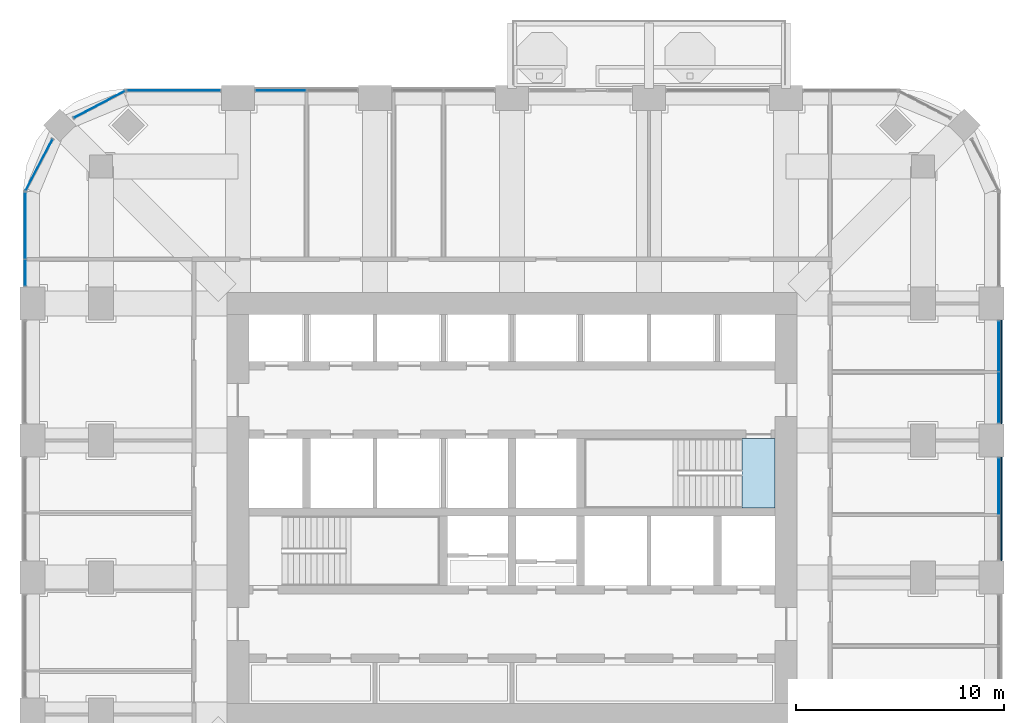
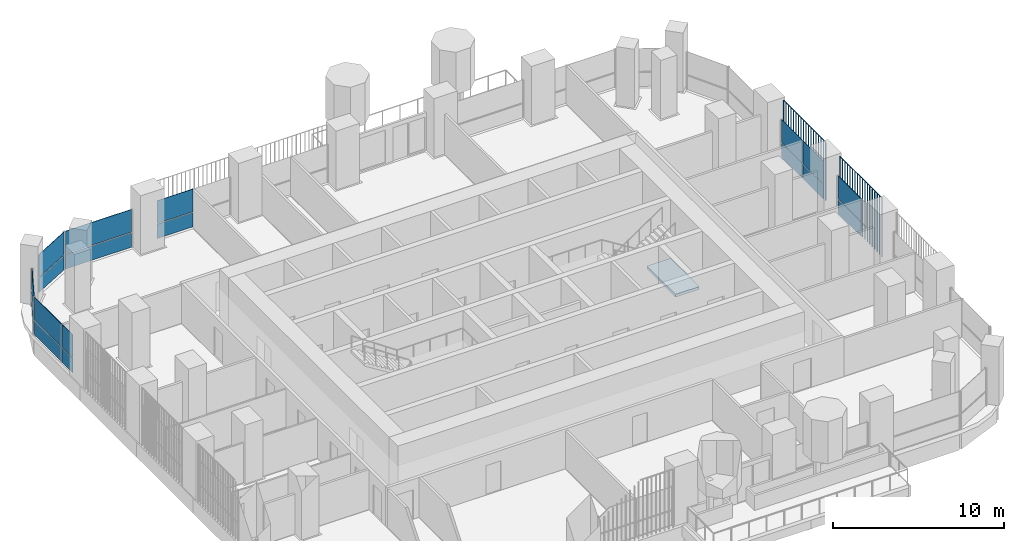
# One storey, part 11 of 20: 20 plates, 1 slab, 8 elements without a shape of their own.
"""IFC4 building model written with IfcOpenShell, lengths in metres."""

from ifc_helpers import new_model, si_unit, direction, frame, origin, origin_2d, place, context, subcontext, project, spatial, polyline, rectangle, outline, extrude, material, layer, layer_set, type_object, element, aggregate, save


model = new_model("IFC4")

# Units and contexts
model_context = context("Model", 3, precision=1e-05, world=origin(), true_north=direction((0.0, 1.0)))
body_context = subcontext(model_context, "Body", "Model", "MODEL_VIEW")
ifc_project = project(units=[si_unit("LENGTHUNIT", "METRE"), si_unit("AREAUNIT", "SQUARE_METRE"), si_unit("VOLUMEUNIT", "CUBIC_METRE"), si_unit("PLANEANGLEUNIT", "RADIAN"), si_unit("MASSUNIT", "GRAM", prefix="KILO")], contexts=[model_context])

# Site, building, storey
site_placement = place(None, origin())
site = spatial("IfcSite", under=ifc_project, at=site_placement, CompositionType="ELEMENT")
building_placement = place(site_placement, origin())
building = spatial("IfcBuilding", under=site, at=building_placement, Name="Cobogo Forest Laboratory Tower", CompositionType="ELEMENT")
storey_placement = place(building_placement, frame((0.0, 0.0, 180.89990234375)))
storey = spatial("IfcBuildingStorey", under=building, at=storey_placement, Name="L41", CompositionType="ELEMENT", Elevation=180.89990234375)

# Curtain wall, plates
ifc_material_1 = material(Name="Aluminium curtain wall", Category="aluminium")
curtain_wall_type = type_object("IfcCurtainWallType", Name="CW-2 unitised curtain wall, solar control glazing, laboratory floors zones C and D", PredefinedType="USERDEFINED", material=ifc_material_1)
curtain_wall_1_placement = place(storey_placement, origin())
curtain_wall_1 = element("IfcCurtainWall", 1, at=curtain_wall_1_placement, inside=storey, type_object=curtain_wall_type, Name="Curtain wall 11 L41", ObjectType="UNITISED CURTAIN WALL", PredefinedType="USERDEFINED")
ifc_material_2 = material(Name="Solar control insulated glass", Category="glass")
ifc_layer_1 = layer(ifc_material_2, 0.031982421875)
ifc_layer_set_1 = layer_set([ifc_layer_1], Name="GP-2 solar control glass unit 32")
plate_type_1 = type_object("IfcPlateType", Name="GP-2 solar control glass unit 32", PredefinedType="CURTAIN_PANEL", material=ifc_layer_set_1)
plate_1_placement = place(storey_placement, frame((49.85009765625, 24.18505859375, 0.0), z_axis=(0.0, 0.0, 1.0), x_axis=(0.0, 1.0, 0.0)))
plate_1 = element("IfcPlate", 2, at=plate_1_placement, type_object=plate_type_1, Name="CW-2 panel 2.1", PredefinedType="CURTAIN_PANEL", context=body_context, shape_type="SweptSolid", body=[
    extrude(rectangle(XDim=2.7099609375, YDim=0.031982421875, at=origin_2d()), origin(), (0.0, 0.0, 1.0), 1.02001953125),
])
plate_2_placement = place(storey_placement, frame((49.85009765625, 24.18505859375, 1.080078125), z_axis=(0.0, 0.0, 1.0), x_axis=(0.0, 1.0, 0.0)))
plate_2 = element("IfcPlate", 3, at=plate_2_placement, type_object=plate_type_1, Name="CW-2 panel 2.2", PredefinedType="CURTAIN_PANEL", context=body_context, shape_type="SweptSolid", body=[
    extrude(rectangle(XDim=2.7099609375, YDim=0.031982421875, at=origin_2d()), origin(), (0.0, 0.0, 1.0), 1.6201171875),
])
aggregate(curtain_wall_1, [plate_1, plate_2])

curtain_wall_2_placement = place(storey_placement, origin())
curtain_wall_2 = element("IfcCurtainWall", 4, at=curtain_wall_2_placement, inside=storey, type_object=curtain_wall_type, Name="Curtain wall 12 L41", ObjectType="UNITISED CURTAIN WALL", PredefinedType="USERDEFINED")
plate_3_placement = place(storey_placement, frame((49.85009765625, 28.465087890625, 0.0), z_axis=(0.0, 0.0, 1.0), x_axis=(0.0, 1.0, 0.0)))
plate_3 = element("IfcPlate", 5, at=plate_3_placement, type_object=plate_type_1, Name="CW-2 panel 1.1", PredefinedType="CURTAIN_PANEL", context=body_context, shape_type="SweptSolid", body=[
    extrude(rectangle(XDim=2.409912109375, YDim=0.031982421875, at=origin_2d()), origin(), (0.0, 0.0, 1.0), 1.02001953125),
])
plate_4_placement = place(storey_placement, frame((49.85009765625, 28.465087890625, 1.080078125), z_axis=(0.0, 0.0, 1.0), x_axis=(0.0, 1.0, 0.0)))
plate_4 = element("IfcPlate", 6, at=plate_4_placement, type_object=plate_type_1, Name="CW-2 panel 1.2", PredefinedType="CURTAIN_PANEL", context=body_context, shape_type="SweptSolid", body=[
    extrude(rectangle(XDim=2.409912109375, YDim=0.031982421875, at=origin_2d()), origin(), (0.0, 0.0, 1.0), 1.6201171875),
])
plate_5_placement = place(storey_placement, frame((49.85009765625, 30.93505859375, 0.0), z_axis=(0.0, 0.0, 1.0), x_axis=(0.0, 1.0, 0.0)))
plate_5 = element("IfcPlate", 7, at=plate_5_placement, type_object=plate_type_1, Name="CW-2 panel 2.1", PredefinedType="CURTAIN_PANEL", context=body_context, shape_type="SweptSolid", body=[
    extrude(rectangle(XDim=2.409912109375, YDim=0.031982421875, at=origin_2d()), origin(), (0.0, 0.0, 1.0), 1.02001953125),
])
plate_6_placement = place(storey_placement, frame((49.85009765625, 30.93505859375, 1.080078125), z_axis=(0.0, 0.0, 1.0), x_axis=(0.0, 1.0, 0.0)))
plate_6 = element("IfcPlate", 8, at=plate_6_placement, type_object=plate_type_1, Name="CW-2 panel 2.2", PredefinedType="CURTAIN_PANEL", context=body_context, shape_type="SweptSolid", body=[
    extrude(rectangle(XDim=2.409912109375, YDim=0.031982421875, at=origin_2d()), origin(), (0.0, 0.0, 1.0), 1.6201171875),
])
aggregate(curtain_wall_2, [plate_3, plate_4, plate_5, plate_6])

curtain_wall_3_placement = place(storey_placement, origin())
curtain_wall_3 = element("IfcCurtainWall", 9, at=curtain_wall_3_placement, inside=storey, type_object=curtain_wall_type, Name="Curtain wall 20 L41", ObjectType="UNITISED CURTAIN WALL", PredefinedType="USERDEFINED")
plate_7_placement = place(storey_placement, frame((15.264892578125, 43.25, 0.0), z_axis=(0.0, 0.0, 1.0), x_axis=(-1.0, 0.0, 0.0)))
plate_7 = element("IfcPlate", 10, at=plate_7_placement, type_object=plate_type_1, Name="CW-2 panel 2.1", PredefinedType="CURTAIN_PANEL", context=body_context, shape_type="SweptSolid", body=[
    extrude(rectangle(XDim=2.409912109375, YDim=0.031982421875, at=origin_2d()), origin(), (0.0, 0.0, 1.0), 1.02001953125),
])
plate_8_placement = place(storey_placement, frame((15.264892578125, 43.25, 1.080078125), z_axis=(0.0, 0.0, 1.0), x_axis=(-1.0, 0.0, 0.0)))
plate_8 = element("IfcPlate", 11, at=plate_8_placement, type_object=plate_type_1, Name="CW-2 panel 2.2", PredefinedType="CURTAIN_PANEL", context=body_context, shape_type="SweptSolid", body=[
    extrude(rectangle(XDim=2.409912109375, YDim=0.031982421875, at=origin_2d()), origin(), (0.0, 0.0, 1.0), 1.6201171875),
])
aggregate(curtain_wall_3, [plate_7, plate_8])

curtain_wall_4_placement = place(storey_placement, origin())
curtain_wall_4 = element("IfcCurtainWall", 12, at=curtain_wall_4_placement, inside=storey, type_object=curtain_wall_type, Name="Curtain wall 21 L41", ObjectType="UNITISED CURTAIN WALL", PredefinedType="USERDEFINED")
plate_9_placement = place(storey_placement, frame((10.10009765625, 43.25, 0.0), z_axis=(0.0, 0.0, 1.0), x_axis=(-1.0, 0.0, 0.0)))
plate_9 = element("IfcPlate", 13, at=plate_9_placement, type_object=plate_type_1, Name="CW-2 panel 1.1", PredefinedType="CURTAIN_PANEL", context=body_context, shape_type="SweptSolid", body=[
    extrude(rectangle(XDim=4.47998046875, YDim=0.031982421875, at=origin_2d()), origin(), (0.0, 0.0, 1.0), 1.02001953125),
])
plate_10_placement = place(storey_placement, frame((10.10009765625, 43.25, 1.080078125), z_axis=(0.0, 0.0, 1.0), x_axis=(-1.0, 0.0, 0.0)))
plate_10 = element("IfcPlate", 14, at=plate_10_placement, type_object=plate_type_1, Name="CW-2 panel 1.2", PredefinedType="CURTAIN_PANEL", context=body_context, shape_type="SweptSolid", body=[
    extrude(rectangle(XDim=4.47998046875, YDim=0.031982421875, at=origin_2d()), origin(), (0.0, 0.0, 1.0), 1.6201171875),
])
aggregate(curtain_wall_4, [plate_9, plate_10])

curtain_wall_5_placement = place(storey_placement, origin())
curtain_wall_5 = element("IfcCurtainWall", 15, at=curtain_wall_5_placement, inside=storey, type_object=curtain_wall_type, Name="Curtain wall 22 L41", ObjectType="UNITISED CURTAIN WALL", PredefinedType="USERDEFINED")
plate_11_placement = place(storey_placement, frame((6.5244140625, 42.581298828125, 0.0), z_axis=(0.0, 0.0, 1.0), x_axis=(-0.885686484356, -0.464283804832, 0.0)))
plate_11 = element("IfcPlate", 16, at=plate_11_placement, type_object=plate_type_1, Name="CW-2 panel 1.1", PredefinedType="CURTAIN_PANEL", context=body_context, shape_type="SweptSolid", body=[
    extrude(rectangle(XDim=2.76025390625, YDim=0.031982421875, at=origin_2d()), origin(), (0.0, 0.0, 1.0), 1.02001953125),
])
plate_12_placement = place(storey_placement, frame((6.5244140625, 42.581298828125, 1.080078125), z_axis=(0.0, 0.0, 1.0), x_axis=(-0.885686484356, -0.464283804832, 0.0)))
plate_12 = element("IfcPlate", 17, at=plate_12_placement, type_object=plate_type_1, Name="CW-2 panel 1.2", PredefinedType="CURTAIN_PANEL", context=body_context, shape_type="SweptSolid", body=[
    extrude(rectangle(XDim=2.76025390625, YDim=0.031982421875, at=origin_2d()), origin(), (0.0, 0.0, 1.0), 1.6201171875),
])
aggregate(curtain_wall_5, [plate_11, plate_12])

curtain_wall_6_placement = place(storey_placement, origin())
curtain_wall_6 = element("IfcCurtainWall", 18, at=curtain_wall_6_placement, inside=storey, type_object=curtain_wall_type, Name="Curtain wall 23 L41", ObjectType="UNITISED CURTAIN WALL", PredefinedType="USERDEFINED")
plate_13_placement = place(storey_placement, frame((3.61865234375, 39.675537109375, 0.0), z_axis=(0.0, 0.0, 1.0), x_axis=(-0.464283804832, -0.885686484356, 0.0)))
plate_13 = element("IfcPlate", 19, at=plate_13_placement, type_object=plate_type_1, Name="CW-2 panel 1.1", PredefinedType="CURTAIN_PANEL", context=body_context, shape_type="SweptSolid", body=[
    extrude(rectangle(XDim=2.76025390625, YDim=0.031982421875, at=origin_2d()), origin(), (0.0, 0.0, 1.0), 1.02001953125),
])
plate_14_placement = place(storey_placement, frame((3.61865234375, 39.675537109375, 1.080078125), z_axis=(0.0, 0.0, 1.0), x_axis=(-0.464283804832, -0.885686484356, 0.0)))
plate_14 = element("IfcPlate", 20, at=plate_14_placement, type_object=plate_type_1, Name="CW-2 panel 1.2", PredefinedType="CURTAIN_PANEL", context=body_context, shape_type="SweptSolid", body=[
    extrude(rectangle(XDim=2.76025390625, YDim=0.031982421875, at=origin_2d()), origin(), (0.0, 0.0, 1.0), 1.6201171875),
])
aggregate(curtain_wall_6, [plate_13, plate_14])

curtain_wall_7_placement = place(storey_placement, origin())
curtain_wall_7 = element("IfcCurtainWall", 21, at=curtain_wall_7_placement, inside=storey, type_object=curtain_wall_type, Name="Curtain wall 24 L41", ObjectType="UNITISED CURTAIN WALL", PredefinedType="USERDEFINED")
plate_15_placement = place(storey_placement, frame((2.949951171875, 36.74755859375, 0.0), z_axis=(0.0, 0.0, 1.0), x_axis=(0.0, -1.0, 0.0)))
plate_15 = element("IfcPlate", 22, at=plate_15_placement, type_object=plate_type_1, Name="CW-2 panel 1.1", PredefinedType="CURTAIN_PANEL", context=body_context, shape_type="SweptSolid", body=[
    extrude(rectangle(XDim=3.18505859375, YDim=0.031982421875, at=origin_2d()), origin(), (0.0, 0.0, 1.0), 1.02001953125),
])
plate_16_placement = place(storey_placement, frame((2.949951171875, 36.74755859375, 1.080078125), z_axis=(0.0, 0.0, 1.0), x_axis=(0.0, -1.0, 0.0)))
plate_16 = element("IfcPlate", 23, at=plate_16_placement, type_object=plate_type_1, Name="CW-2 panel 1.2", PredefinedType="CURTAIN_PANEL", context=body_context, shape_type="SweptSolid", body=[
    extrude(rectangle(XDim=3.18505859375, YDim=0.031982421875, at=origin_2d()), origin(), (0.0, 0.0, 1.0), 1.6201171875),
])
plate_17_placement = place(storey_placement, frame((2.949951171875, 34.4775390625, 0.0), z_axis=(0.0, 0.0, 1.0), x_axis=(0.0, -1.0, 0.0)))
plate_17 = element("IfcPlate", 24, at=plate_17_placement, type_object=plate_type_1, Name="CW-2 panel 2.1", PredefinedType="CURTAIN_PANEL", context=body_context, shape_type="SweptSolid", body=[
    extrude(rectangle(XDim=1.235107421875, YDim=0.031982421875, at=origin_2d()), origin(), (0.0, 0.0, 1.0), 1.02001953125),
])
plate_18_placement = place(storey_placement, frame((2.949951171875, 34.4775390625, 1.080078125), z_axis=(0.0, 0.0, 1.0), x_axis=(0.0, -1.0, 0.0)))
plate_18 = element("IfcPlate", 25, at=plate_18_placement, type_object=plate_type_1, Name="CW-2 panel 2.2", PredefinedType="CURTAIN_PANEL", context=body_context, shape_type="SweptSolid", body=[
    extrude(rectangle(XDim=1.235107421875, YDim=0.031982421875, at=origin_2d()), origin(), (0.0, 0.0, 1.0), 1.6201171875),
])
aggregate(curtain_wall_7, [plate_15, plate_16, plate_17, plate_18])

# Stair, slab
ifc_material_3 = material(Name="Precast concrete HA-40 (C40/50)", Category="concrete")
stair_type = type_object("IfcStairType", Name="ST24 exit stair 24 risers", PredefinedType="HALF_TURN_STAIR", material=ifc_material_3)
stair_placement = place(storey_placement, origin())
stair = element("IfcStair", 26, at=stair_placement, inside=storey, type_object=stair_type, Name="Stair 2 L41 to L42", PredefinedType="HALF_TURN_STAIR")
ifc_material_4 = material(Name="Concrete HA-40 (C40/50)", Category="concrete")
ifc_layer_2 = layer(ifc_material_4, 0.199951171875)
ifc_layer_set_2 = layer_set([ifc_layer_2], Name="SL stair landing 200")
slab_type = type_object("IfcSlabType", Name="SL stair landing 200", PredefinedType="LANDING", material=ifc_layer_set_2)
slab_placement = place(storey_placement, frame((0.0, 0.0, -0.199951171875)))
slab = element("IfcSlab", 27, at=slab_placement, type_object=slab_type, Name="ST2 landing 1", PredefinedType="LANDING", context=body_context, shape_type="SweptSolid", body=[
    extrude(outline(polyline([(37.472900390625, 23.14990234375), (39.074951171875, 23.14990234375), (39.074951171875, 26.5), (37.472900390625, 26.5), (37.472900390625, 23.14990234375)])), origin(), (0.0, 0.0, 1.0), 0.199951171875),
])
aggregate(stair, [slab])

# Plates
ifc_material_5 = material(Name="Terracotta", Category="masonry")
plate_type_2 = type_object("IfcPlateType", Name="TB1 terracotta baguette screen", PredefinedType="USERDEFINED", material=ifc_material_5)
plate_19_placement = place(storey_placement, frame((49.977783203125, 20.63134765625, -0.14990234375)))
element("IfcPlate", 28, at=plate_19_placement, inside=storey, type_object=plate_type_2, Name="Baguette screen E2 L41", ObjectType="BAGUETTE SCREEN", PredefinedType="USERDEFINED", context=body_context, shape_type="SweptSolid", body=[
    extrude(outline(polyline([(0.02880859375, 0.011962890625), (0.011962890625, 0.02880859375), (-0.011962890625, 0.02880859375), (-0.02880859375, 0.011962890625), (-0.02880859375, -0.011962890625), (-0.011962890625, -0.02880859375), (0.011962890625, -0.02880859375), (0.02880859375, -0.011962890625), (0.02880859375, 0.011962890625)])), frame((0.0, 0.0, 4.168701171875), z_axis=(0.0, 1.0, 0.0), x_axis=(-1.0, 0.0, 0.0)), (0.0, 0.0, 1.0), 4.9375),
    extrude(outline(polyline([(0.02880859375, 0.011962890625), (0.011962890625, 0.02880859375), (-0.011962890625, 0.02880859375), (-0.02880859375, 0.011962890625), (-0.02880859375, -0.011962890625), (-0.011962890625, -0.02880859375), (0.011962890625, -0.02880859375), (0.02880859375, -0.011962890625), (0.02880859375, 0.011962890625)])), origin(), (0.0, 0.0, 1.0), 4.137451171875),
    extrude(outline(polyline([(0.02880859375, 0.011962890625), (0.011962890625, 0.02880859375), (-0.011962890625, 0.02880859375), (-0.02880859375, 0.011962890625), (-0.02880859375, -0.011962890625), (-0.011962890625, -0.02880859375), (0.011962890625, -0.02880859375), (0.02880859375, -0.011962890625), (0.02880859375, 0.011962890625)])), frame((0.0, 0.29052734375, 0.0)), (0.0, 0.0, 1.0), 4.137451171875),
    extrude(outline(polyline([(0.02880859375, 0.011962890625), (0.011962890625, 0.02880859375), (-0.011962890625, 0.02880859375), (-0.02880859375, 0.011962890625), (-0.02880859375, -0.011962890625), (-0.011962890625, -0.02880859375), (0.011962890625, -0.02880859375), (0.02880859375, -0.011962890625), (0.02880859375, 0.011962890625)])), frame((0.0, 0.580810546875, 0.0)), (0.0, 0.0, 1.0), 4.137451171875),
    extrude(outline(polyline([(0.02880859375, 0.011962890625), (0.011962890625, 0.02880859375), (-0.011962890625, 0.02880859375), (-0.02880859375, 0.011962890625), (-0.02880859375, -0.011962890625), (-0.011962890625, -0.02880859375), (0.011962890625, -0.02880859375), (0.02880859375, -0.011962890625), (0.02880859375, 0.011962890625)])), frame((0.0, 0.871337890625, 0.0)), (0.0, 0.0, 1.0), 4.137451171875),
    extrude(outline(polyline([(0.02880859375, 0.011962890625), (0.011962890625, 0.02880859375), (-0.011962890625, 0.02880859375), (-0.02880859375, 0.011962890625), (-0.02880859375, -0.011962890625), (-0.011962890625, -0.02880859375), (0.011962890625, -0.02880859375), (0.02880859375, -0.011962890625), (0.02880859375, 0.011962890625)])), frame((0.0, 1.161865234375, 0.0)), (0.0, 0.0, 1.0), 4.137451171875),
    extrude(outline(polyline([(0.02880859375, 0.011962890625), (0.011962890625, 0.02880859375), (-0.011962890625, 0.02880859375), (-0.02880859375, 0.011962890625), (-0.02880859375, -0.011962890625), (-0.011962890625, -0.02880859375), (0.011962890625, -0.02880859375), (0.02880859375, -0.011962890625), (0.02880859375, 0.011962890625)])), frame((0.0, 1.4521484375, 0.0)), (0.0, 0.0, 1.0), 4.137451171875),
    extrude(outline(polyline([(0.02880859375, 0.011962890625), (0.011962890625, 0.02880859375), (-0.011962890625, 0.02880859375), (-0.02880859375, 0.011962890625), (-0.02880859375, -0.011962890625), (-0.011962890625, -0.02880859375), (0.011962890625, -0.02880859375), (0.02880859375, -0.011962890625), (0.02880859375, 0.011962890625)])), frame((0.0, 1.74267578125, 0.0)), (0.0, 0.0, 1.0), 4.137451171875),
    extrude(outline(polyline([(0.02880859375, 0.011962890625), (0.011962890625, 0.02880859375), (-0.011962890625, 0.02880859375), (-0.02880859375, 0.011962890625), (-0.02880859375, -0.011962890625), (-0.011962890625, -0.02880859375), (0.011962890625, -0.02880859375), (0.02880859375, -0.011962890625), (0.02880859375, 0.011962890625)])), frame((0.0, 2.033203125, 0.0)), (0.0, 0.0, 1.0), 4.137451171875),
    extrude(outline(polyline([(0.02880859375, 0.011962890625), (0.011962890625, 0.02880859375), (-0.011962890625, 0.02880859375), (-0.02880859375, 0.011962890625), (-0.02880859375, -0.011962890625), (-0.011962890625, -0.02880859375), (0.011962890625, -0.02880859375), (0.02880859375, -0.011962890625), (0.02880859375, 0.011962890625)])), frame((0.0, 2.323486328125, 0.0)), (0.0, 0.0, 1.0), 4.137451171875),
    extrude(outline(polyline([(0.02880859375, 0.011962890625), (0.011962890625, 0.02880859375), (-0.011962890625, 0.02880859375), (-0.02880859375, 0.011962890625), (-0.02880859375, -0.011962890625), (-0.011962890625, -0.02880859375), (0.011962890625, -0.02880859375), (0.02880859375, -0.011962890625), (0.02880859375, 0.011962890625)])), frame((0.0, 2.614013671875, 0.0)), (0.0, 0.0, 1.0), 4.137451171875),
    extrude(outline(polyline([(0.02880859375, 0.011962890625), (0.011962890625, 0.02880859375), (-0.011962890625, 0.02880859375), (-0.02880859375, 0.011962890625), (-0.02880859375, -0.011962890625), (-0.011962890625, -0.02880859375), (0.011962890625, -0.02880859375), (0.02880859375, -0.011962890625), (0.02880859375, 0.011962890625)])), frame((0.0, 2.904296875, 0.0)), (0.0, 0.0, 1.0), 4.137451171875),
    extrude(outline(polyline([(0.02880859375, 0.011962890625), (0.011962890625, 0.02880859375), (-0.011962890625, 0.02880859375), (-0.02880859375, 0.011962890625), (-0.02880859375, -0.011962890625), (-0.011962890625, -0.02880859375), (0.011962890625, -0.02880859375), (0.02880859375, -0.011962890625), (0.02880859375, 0.011962890625)])), frame((0.0, 3.19482421875, 0.0)), (0.0, 0.0, 1.0), 4.137451171875),
    extrude(outline(polyline([(0.02880859375, 0.011962890625), (0.011962890625, 0.02880859375), (-0.011962890625, 0.02880859375), (-0.02880859375, 0.011962890625), (-0.02880859375, -0.011962890625), (-0.011962890625, -0.02880859375), (0.011962890625, -0.02880859375), (0.02880859375, -0.011962890625), (0.02880859375, 0.011962890625)])), frame((0.0, 3.4853515625, 0.0)), (0.0, 0.0, 1.0), 4.137451171875),
    extrude(outline(polyline([(0.02880859375, 0.011962890625), (0.011962890625, 0.02880859375), (-0.011962890625, 0.02880859375), (-0.02880859375, 0.011962890625), (-0.02880859375, -0.011962890625), (-0.011962890625, -0.02880859375), (0.011962890625, -0.02880859375), (0.02880859375, -0.011962890625), (0.02880859375, 0.011962890625)])), frame((0.0, 3.775634765625, 0.0)), (0.0, 0.0, 1.0), 4.137451171875),
    extrude(outline(polyline([(0.02880859375, 0.011962890625), (0.011962890625, 0.02880859375), (-0.011962890625, 0.02880859375), (-0.02880859375, 0.011962890625), (-0.02880859375, -0.011962890625), (-0.011962890625, -0.02880859375), (0.011962890625, -0.02880859375), (0.02880859375, -0.011962890625), (0.02880859375, 0.011962890625)])), frame((0.0, 4.066162109375, 0.0)), (0.0, 0.0, 1.0), 4.137451171875),
    extrude(outline(polyline([(0.02880859375, 0.011962890625), (0.011962890625, 0.02880859375), (-0.011962890625, 0.02880859375), (-0.02880859375, 0.011962890625), (-0.02880859375, -0.011962890625), (-0.011962890625, -0.02880859375), (0.011962890625, -0.02880859375), (0.02880859375, -0.011962890625), (0.02880859375, 0.011962890625)])), frame((0.0, 4.356689453125, 0.0)), (0.0, 0.0, 1.0), 4.137451171875),
    extrude(outline(polyline([(0.02880859375, 0.011962890625), (0.011962890625, 0.02880859375), (-0.011962890625, 0.02880859375), (-0.02880859375, 0.011962890625), (-0.02880859375, -0.011962890625), (-0.011962890625, -0.02880859375), (0.011962890625, -0.02880859375), (0.02880859375, -0.011962890625), (0.02880859375, 0.011962890625)])), frame((0.0, 4.64697265625, 0.0)), (0.0, 0.0, 1.0), 4.137451171875),
    extrude(outline(polyline([(0.02880859375, 0.011962890625), (0.011962890625, 0.02880859375), (-0.011962890625, 0.02880859375), (-0.02880859375, 0.011962890625), (-0.02880859375, -0.011962890625), (-0.011962890625, -0.02880859375), (0.011962890625, -0.02880859375), (0.02880859375, -0.011962890625), (0.02880859375, 0.011962890625)])), frame((0.0, 4.9375, 0.0)), (0.0, 0.0, 1.0), 4.137451171875),
])
plate_20_placement = place(storey_placement, frame((49.977783203125, 27.231201171875, -0.14990234375)))
element("IfcPlate", 29, at=plate_20_placement, inside=storey, type_object=plate_type_2, Name="Baguette screen E3 L41", ObjectType="BAGUETTE SCREEN", PredefinedType="USERDEFINED", context=body_context, shape_type="SweptSolid", body=[
    extrude(outline(polyline([(0.02880859375, 0.011962890625), (0.011962890625, 0.02880859375), (-0.011962890625, 0.02880859375), (-0.02880859375, 0.011962890625), (-0.02880859375, -0.011962890625), (-0.011962890625, -0.02880859375), (0.011962890625, -0.02880859375), (0.02880859375, -0.011962890625), (0.02880859375, 0.011962890625)])), frame((0.0, 0.0, 4.168701171875), z_axis=(0.0, 1.0, 0.0), x_axis=(-1.0, 0.0, 0.0)), (0.0, 0.0, 1.0), 4.9375),
    extrude(outline(polyline([(0.02880859375, 0.011962890625), (0.011962890625, 0.02880859375), (-0.011962890625, 0.02880859375), (-0.02880859375, 0.011962890625), (-0.02880859375, -0.011962890625), (-0.011962890625, -0.02880859375), (0.011962890625, -0.02880859375), (0.02880859375, -0.011962890625), (0.02880859375, 0.011962890625)])), origin(), (0.0, 0.0, 1.0), 4.137451171875),
    extrude(outline(polyline([(0.02880859375, 0.011962890625), (0.011962890625, 0.02880859375), (-0.011962890625, 0.02880859375), (-0.02880859375, 0.011962890625), (-0.02880859375, -0.011962890625), (-0.011962890625, -0.02880859375), (0.011962890625, -0.02880859375), (0.02880859375, -0.011962890625), (0.02880859375, 0.011962890625)])), frame((0.0, 0.29052734375, 0.0)), (0.0, 0.0, 1.0), 4.137451171875),
    extrude(outline(polyline([(0.02880859375, 0.011962890625), (0.011962890625, 0.02880859375), (-0.011962890625, 0.02880859375), (-0.02880859375, 0.011962890625), (-0.02880859375, -0.011962890625), (-0.011962890625, -0.02880859375), (0.011962890625, -0.02880859375), (0.02880859375, -0.011962890625), (0.02880859375, 0.011962890625)])), frame((0.0, 0.580810546875, 0.0)), (0.0, 0.0, 1.0), 4.137451171875),
    extrude(outline(polyline([(0.02880859375, 0.011962890625), (0.011962890625, 0.02880859375), (-0.011962890625, 0.02880859375), (-0.02880859375, 0.011962890625), (-0.02880859375, -0.011962890625), (-0.011962890625, -0.02880859375), (0.011962890625, -0.02880859375), (0.02880859375, -0.011962890625), (0.02880859375, 0.011962890625)])), frame((0.0, 0.871337890625, 0.0)), (0.0, 0.0, 1.0), 4.137451171875),
    extrude(outline(polyline([(0.02880859375, 0.011962890625), (0.011962890625, 0.02880859375), (-0.011962890625, 0.02880859375), (-0.02880859375, 0.011962890625), (-0.02880859375, -0.011962890625), (-0.011962890625, -0.02880859375), (0.011962890625, -0.02880859375), (0.02880859375, -0.011962890625), (0.02880859375, 0.011962890625)])), frame((0.0, 1.161865234375, 0.0)), (0.0, 0.0, 1.0), 4.137451171875),
    extrude(outline(polyline([(0.02880859375, 0.011962890625), (0.011962890625, 0.02880859375), (-0.011962890625, 0.02880859375), (-0.02880859375, 0.011962890625), (-0.02880859375, -0.011962890625), (-0.011962890625, -0.02880859375), (0.011962890625, -0.02880859375), (0.02880859375, -0.011962890625), (0.02880859375, 0.011962890625)])), frame((0.0, 1.4521484375, 0.0)), (0.0, 0.0, 1.0), 4.137451171875),
    extrude(outline(polyline([(0.02880859375, 0.011962890625), (0.011962890625, 0.02880859375), (-0.011962890625, 0.02880859375), (-0.02880859375, 0.011962890625), (-0.02880859375, -0.011962890625), (-0.011962890625, -0.02880859375), (0.011962890625, -0.02880859375), (0.02880859375, -0.011962890625), (0.02880859375, 0.011962890625)])), frame((0.0, 1.74267578125, 0.0)), (0.0, 0.0, 1.0), 4.137451171875),
    extrude(outline(polyline([(0.02880859375, 0.011962890625), (0.011962890625, 0.02880859375), (-0.011962890625, 0.02880859375), (-0.02880859375, 0.011962890625), (-0.02880859375, -0.011962890625), (-0.011962890625, -0.02880859375), (0.011962890625, -0.02880859375), (0.02880859375, -0.011962890625), (0.02880859375, 0.011962890625)])), frame((0.0, 2.033203125, 0.0)), (0.0, 0.0, 1.0), 4.137451171875),
    extrude(outline(polyline([(0.02880859375, 0.011962890625), (0.011962890625, 0.02880859375), (-0.011962890625, 0.02880859375), (-0.02880859375, 0.011962890625), (-0.02880859375, -0.011962890625), (-0.011962890625, -0.02880859375), (0.011962890625, -0.02880859375), (0.02880859375, -0.011962890625), (0.02880859375, 0.011962890625)])), frame((0.0, 2.323486328125, 0.0)), (0.0, 0.0, 1.0), 4.137451171875),
    extrude(outline(polyline([(0.02880859375, 0.011962890625), (0.011962890625, 0.02880859375), (-0.011962890625, 0.02880859375), (-0.02880859375, 0.011962890625), (-0.02880859375, -0.011962890625), (-0.011962890625, -0.02880859375), (0.011962890625, -0.02880859375), (0.02880859375, -0.011962890625), (0.02880859375, 0.011962890625)])), frame((0.0, 2.614013671875, 0.0)), (0.0, 0.0, 1.0), 4.137451171875),
    extrude(outline(polyline([(0.02880859375, 0.011962890625), (0.011962890625, 0.02880859375), (-0.011962890625, 0.02880859375), (-0.02880859375, 0.011962890625), (-0.02880859375, -0.011962890625), (-0.011962890625, -0.02880859375), (0.011962890625, -0.02880859375), (0.02880859375, -0.011962890625), (0.02880859375, 0.011962890625)])), frame((0.0, 2.904296875, 0.0)), (0.0, 0.0, 1.0), 4.137451171875),
    extrude(outline(polyline([(0.02880859375, 0.011962890625), (0.011962890625, 0.02880859375), (-0.011962890625, 0.02880859375), (-0.02880859375, 0.011962890625), (-0.02880859375, -0.011962890625), (-0.011962890625, -0.02880859375), (0.011962890625, -0.02880859375), (0.02880859375, -0.011962890625), (0.02880859375, 0.011962890625)])), frame((0.0, 3.19482421875, 0.0)), (0.0, 0.0, 1.0), 4.137451171875),
    extrude(outline(polyline([(0.02880859375, 0.011962890625), (0.011962890625, 0.02880859375), (-0.011962890625, 0.02880859375), (-0.02880859375, 0.011962890625), (-0.02880859375, -0.011962890625), (-0.011962890625, -0.02880859375), (0.011962890625, -0.02880859375), (0.02880859375, -0.011962890625), (0.02880859375, 0.011962890625)])), frame((0.0, 3.4853515625, 0.0)), (0.0, 0.0, 1.0), 4.137451171875),
    extrude(outline(polyline([(0.02880859375, 0.011962890625), (0.011962890625, 0.02880859375), (-0.011962890625, 0.02880859375), (-0.02880859375, 0.011962890625), (-0.02880859375, -0.011962890625), (-0.011962890625, -0.02880859375), (0.011962890625, -0.02880859375), (0.02880859375, -0.011962890625), (0.02880859375, 0.011962890625)])), frame((0.0, 3.775634765625, 0.0)), (0.0, 0.0, 1.0), 4.137451171875),
    extrude(outline(polyline([(0.02880859375, 0.011962890625), (0.011962890625, 0.02880859375), (-0.011962890625, 0.02880859375), (-0.02880859375, 0.011962890625), (-0.02880859375, -0.011962890625), (-0.011962890625, -0.02880859375), (0.011962890625, -0.02880859375), (0.02880859375, -0.011962890625), (0.02880859375, 0.011962890625)])), frame((0.0, 4.066162109375, 0.0)), (0.0, 0.0, 1.0), 4.137451171875),
    extrude(outline(polyline([(0.02880859375, 0.011962890625), (0.011962890625, 0.02880859375), (-0.011962890625, 0.02880859375), (-0.02880859375, 0.011962890625), (-0.02880859375, -0.011962890625), (-0.011962890625, -0.02880859375), (0.011962890625, -0.02880859375), (0.02880859375, -0.011962890625), (0.02880859375, 0.011962890625)])), frame((0.0, 4.356689453125, 0.0)), (0.0, 0.0, 1.0), 4.137451171875),
    extrude(outline(polyline([(0.02880859375, 0.011962890625), (0.011962890625, 0.02880859375), (-0.011962890625, 0.02880859375), (-0.02880859375, 0.011962890625), (-0.02880859375, -0.011962890625), (-0.011962890625, -0.02880859375), (0.011962890625, -0.02880859375), (0.02880859375, -0.011962890625), (0.02880859375, 0.011962890625)])), frame((0.0, 4.64697265625, 0.0)), (0.0, 0.0, 1.0), 4.137451171875),
    extrude(outline(polyline([(0.02880859375, 0.011962890625), (0.011962890625, 0.02880859375), (-0.011962890625, 0.02880859375), (-0.02880859375, 0.011962890625), (-0.02880859375, -0.011962890625), (-0.011962890625, -0.02880859375), (0.011962890625, -0.02880859375), (0.02880859375, -0.011962890625), (0.02880859375, 0.011962890625)])), frame((0.0, 4.9375, 0.0)), (0.0, 0.0, 1.0), 4.137451171875),
])

save(model, "model.ifc")
